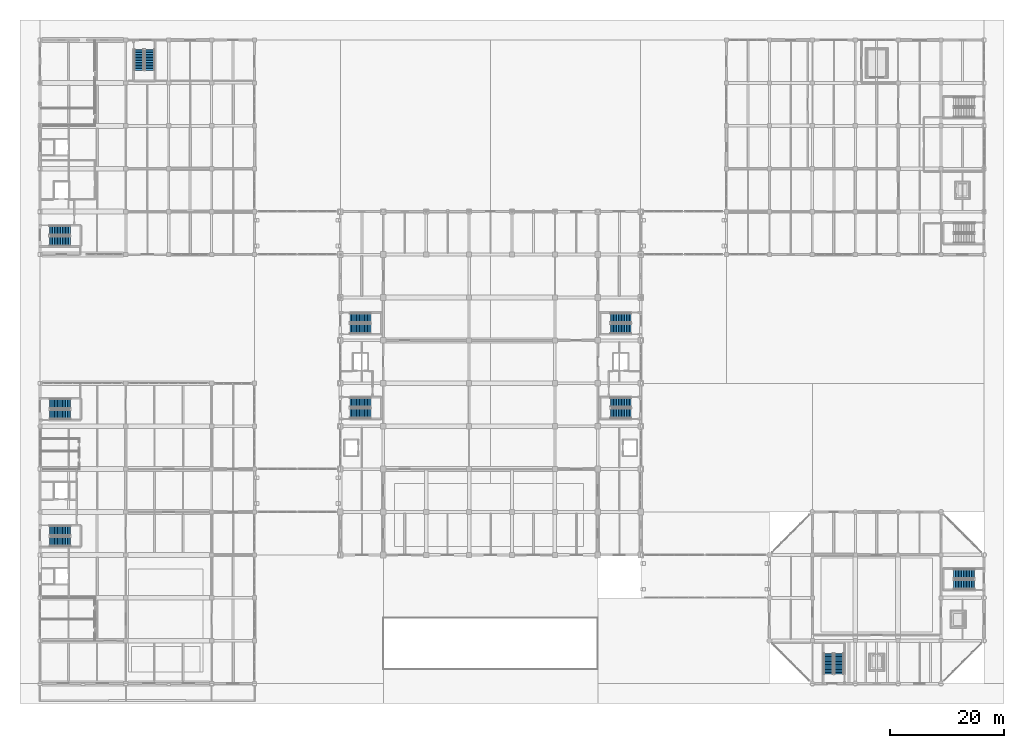
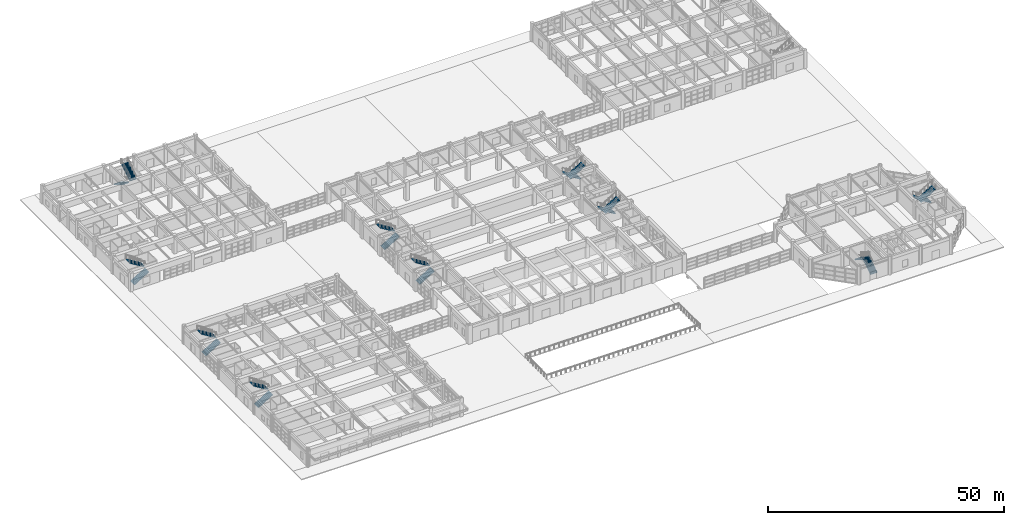
# One storey, part 97 of 122: 20 stair flights, 10 elements without a shape of their own.
"""IFC4 building model written with IfcOpenShell, lengths in metres."""

from ifc_helpers import new_model, si_unit, direction, frame, origin, place, context, subcontext, project, spatial, polyline, outline, extrude, material, type_object, element, aggregate, save


model = new_model("IFC4")

# Units and contexts
model_context = context("Model", 3, precision=1e-05, world=origin(), true_north=direction((0.0, 1.0)))
body_context = subcontext(model_context, "Body", "Model", "MODEL_VIEW")
ifc_project = project(units=[si_unit("LENGTHUNIT", "METRE"), si_unit("AREAUNIT", "SQUARE_METRE"), si_unit("VOLUMEUNIT", "CUBIC_METRE"), si_unit("PLANEANGLEUNIT", "RADIAN"), si_unit("MASSUNIT", "GRAM", prefix="KILO")], contexts=[model_context])

# Site, building, storey
site_placement = place(None, origin())
site = spatial("IfcSite", under=ifc_project, at=site_placement, CompositionType="ELEMENT")
building_placement = place(site_placement, origin())
building = spatial("IfcBuilding", under=site, at=building_placement, Name="Qasida Concert Hall", CompositionType="ELEMENT")
storey_placement = place(building_placement, origin())
storey = spatial("IfcBuildingStorey", under=building, at=storey_placement, Name="L00", CompositionType="ELEMENT", Elevation=0.0)

# Stair, stair flights
ifc_material = material(Name="Concrete C40/50", Category="concrete")
stair_type_1 = type_object("IfcStairType", Name="ST-DL-165", PredefinedType="HALF_TURN_STAIR", material=ifc_material)
stair_1_placement = place(storey_placement, origin())
stair_1 = element("IfcStair", 1, at=stair_1_placement, inside=storey, type_object=stair_type_1, Name="L00 Exit stair ST-05", PredefinedType="HALF_TURN_STAIR")
stair_flight_type_1 = type_object("IfcStairFlightType", Name="SF-DL-165", PredefinedType="STRAIGHT", material=ifc_material)
stair_flight_1_placement = place(storey_placement, frame((1.64990234375, 77.324951171875, 0.0), z_axis=(0.0, 0.0, 1.0), x_axis=(1.0, 0.0, 0.0)))
stair_flight_1 = element("IfcStairFlight", 2, at=stair_flight_1_placement, type_object=stair_flight_type_1, Name="ST-05 flight 1", NumberOfRisers=14, NumberOfTreads=13, PredefinedType="STRAIGHT", RiserHeight=0.171428571, TreadLength=0.28, context=body_context, shape_type="SweptSolid", body=[
    extrude(outline(polyline([(0.0, 0.0), (0.0, 0.17138671875), (0.280029296875, 0.17138671875), (0.280029296875, 0.3427734375), (0.56005859375, 0.3427734375), (0.56005859375, 0.514404296875), (0.840087890625, 0.514404296875), (0.840087890625, 0.685791015625), (1.1201171875, 0.685791015625), (1.1201171875, 0.857177734375), (1.39990234375, 0.857177734375), (1.39990234375, 1.028564453125), (1.679931640625, 1.028564453125), (1.679931640625, 1.199951171875), (1.9599609375, 1.199951171875), (1.9599609375, 1.371337890625), (2.239990234375, 1.371337890625), (2.239990234375, 1.54296875), (2.52001953125, 1.54296875), (2.52001953125, 1.71435546875), (2.800048828125, 1.71435546875), (2.800048828125, 1.8857421875), (3.080078125, 1.8857421875), (3.080078125, 2.05712890625), (3.360107421875, 2.05712890625), (3.360107421875, 2.228515625), (3.639892578125, 2.228515625), (3.639892578125, 2.39990234375), (3.639892578125, 2.041015625), (0.30615234375, 0.0), (0.0, 0.0)])), frame((0.0, 0.824951171875, 0.0), z_axis=(0.0, -1.0, 0.0), x_axis=(1.0, 0.0, 0.0)), (0.0, 0.0, 1.0), 1.64990234375),
])
stair_flight_2_placement = place(storey_placement, frame((5.2900390625, 79.175048828125, 2.39990234375), z_axis=(0.0, 0.0, 1.0), x_axis=(-1.0, 0.0, 0.0)))
stair_flight_2 = element("IfcStairFlight", 3, at=stair_flight_2_placement, type_object=stair_flight_type_1, Name="ST-05 flight 2", NumberOfRisers=14, NumberOfTreads=13, PredefinedType="STRAIGHT", RiserHeight=0.171428571, TreadLength=0.28, context=body_context, shape_type="SweptSolid", body=[
    extrude(outline(polyline([(0.0, 0.0), (0.0, 0.17138671875), (0.280029296875, 0.17138671875), (0.280029296875, 0.3427734375), (0.56005859375, 0.3427734375), (0.56005859375, 0.514404296875), (0.840087890625, 0.514404296875), (0.840087890625, 0.685791015625), (1.1201171875, 0.685791015625), (1.1201171875, 0.857177734375), (1.39990234375, 0.857177734375), (1.39990234375, 1.028564453125), (1.679931640625, 1.028564453125), (1.679931640625, 1.199951171875), (1.9599609375, 1.199951171875), (1.9599609375, 1.371337890625), (2.239990234375, 1.371337890625), (2.239990234375, 1.54296875), (2.52001953125, 1.54296875), (2.52001953125, 1.71435546875), (2.800048828125, 1.71435546875), (2.800048828125, 1.8857421875), (3.080078125, 1.8857421875), (3.080078125, 2.05712890625), (3.360107421875, 2.05712890625), (3.360107421875, 2.228515625), (3.639892578125, 2.228515625), (3.639892578125, 2.39990234375), (3.639892578125, 2.041015625), (0.30615234375, 0.0), (0.0, 0.0)])), frame((0.0, 0.824951171875, 0.0), z_axis=(0.0, -1.0, 0.0), x_axis=(1.0, 0.0, 0.0)), (0.0, 0.0, 1.0), 1.64990234375),
])
aggregate(stair_1, [stair_flight_1, stair_flight_2])

stair_2_placement = place(storey_placement, origin())
stair_2 = element("IfcStair", 4, at=stair_2_placement, inside=storey, type_object=stair_type_1, Name="L00 Exit stair ST-06", PredefinedType="HALF_TURN_STAIR")
stair_flight_3_placement = place(storey_placement, frame((17.324951171875, 110.85009765625, 0.0), z_axis=(0.0, 0.0, 1.0), x_axis=(0.0, -1.0, 0.0)))
stair_flight_3 = element("IfcStairFlight", 5, at=stair_flight_3_placement, type_object=stair_flight_type_1, Name="ST-06 flight 1", NumberOfRisers=14, NumberOfTreads=13, PredefinedType="STRAIGHT", RiserHeight=0.171428571, TreadLength=0.28, context=body_context, shape_type="SweptSolid", body=[
    extrude(outline(polyline([(0.0, 0.0), (0.0, 0.17138671875), (0.280029296875, 0.17138671875), (0.280029296875, 0.3427734375), (0.56005859375, 0.3427734375), (0.56005859375, 0.514404296875), (0.840087890625, 0.514404296875), (0.840087890625, 0.685791015625), (1.1201171875, 0.685791015625), (1.1201171875, 0.857177734375), (1.39990234375, 0.857177734375), (1.39990234375, 1.028564453125), (1.679931640625, 1.028564453125), (1.679931640625, 1.199951171875), (1.9599609375, 1.199951171875), (1.9599609375, 1.371337890625), (2.239990234375, 1.371337890625), (2.239990234375, 1.54296875), (2.52001953125, 1.54296875), (2.52001953125, 1.71435546875), (2.800048828125, 1.71435546875), (2.800048828125, 1.8857421875), (3.080078125, 1.8857421875), (3.080078125, 2.05712890625), (3.360107421875, 2.05712890625), (3.360107421875, 2.228515625), (3.639892578125, 2.228515625), (3.639892578125, 2.39990234375), (3.639892578125, 2.041015625), (0.30615234375, 0.0), (0.0, 0.0)])), frame((0.0, 0.824951171875, 0.0), z_axis=(0.0, -1.0, 0.0), x_axis=(1.0, 0.0, 0.0)), (0.0, 0.0, 1.0), 1.64990234375),
])
stair_flight_4_placement = place(storey_placement, frame((19.175048828125, 107.2099609375, 2.39990234375), z_axis=(0.0, 0.0, 1.0), x_axis=(0.0, 1.0, 0.0)))
stair_flight_4 = element("IfcStairFlight", 6, at=stair_flight_4_placement, type_object=stair_flight_type_1, Name="ST-06 flight 2", NumberOfRisers=14, NumberOfTreads=13, PredefinedType="STRAIGHT", RiserHeight=0.171428571, TreadLength=0.28, context=body_context, shape_type="SweptSolid", body=[
    extrude(outline(polyline([(0.0, 0.0), (0.0, 0.17138671875), (0.280029296875, 0.17138671875), (0.280029296875, 0.3427734375), (0.56005859375, 0.3427734375), (0.56005859375, 0.514404296875), (0.840087890625, 0.514404296875), (0.840087890625, 0.685791015625), (1.1201171875, 0.685791015625), (1.1201171875, 0.857177734375), (1.39990234375, 0.857177734375), (1.39990234375, 1.028564453125), (1.679931640625, 1.028564453125), (1.679931640625, 1.199951171875), (1.9599609375, 1.199951171875), (1.9599609375, 1.371337890625), (2.239990234375, 1.371337890625), (2.239990234375, 1.54296875), (2.52001953125, 1.54296875), (2.52001953125, 1.71435546875), (2.800048828125, 1.71435546875), (2.800048828125, 1.8857421875), (3.080078125, 1.8857421875), (3.080078125, 2.05712890625), (3.360107421875, 2.05712890625), (3.360107421875, 2.228515625), (3.639892578125, 2.228515625), (3.639892578125, 2.39990234375), (3.639892578125, 2.041015625), (0.30615234375, 0.0), (0.0, 0.0)])), frame((0.0, 0.824951171875, 0.0), z_axis=(0.0, -1.0, 0.0), x_axis=(1.0, 0.0, 0.0)), (0.0, 0.0, 1.0), 1.64990234375),
])
aggregate(stair_2, [stair_flight_3, stair_flight_4])

stair_3_placement = place(storey_placement, origin())
stair_3 = element("IfcStair", 7, at=stair_3_placement, inside=storey, type_object=stair_type_1, Name="L00 Exit stair ST-09", PredefinedType="HALF_TURN_STAIR")
stair_flight_5_placement = place(storey_placement, frame((139.675048828125, 1.64990234375, 0.0), z_axis=(0.0, 0.0, 1.0), x_axis=(0.0, 1.0, 0.0)))
stair_flight_5 = element("IfcStairFlight", 8, at=stair_flight_5_placement, type_object=stair_flight_type_1, Name="ST-09 flight 1", NumberOfRisers=14, NumberOfTreads=13, PredefinedType="STRAIGHT", RiserHeight=0.171428571, TreadLength=0.28, context=body_context, shape_type="SweptSolid", body=[
    extrude(outline(polyline([(0.0, 0.0), (0.0, 0.17138671875), (0.280029296875, 0.17138671875), (0.280029296875, 0.3427734375), (0.56005859375, 0.3427734375), (0.56005859375, 0.514404296875), (0.840087890625, 0.514404296875), (0.840087890625, 0.685791015625), (1.1201171875, 0.685791015625), (1.1201171875, 0.857177734375), (1.39990234375, 0.857177734375), (1.39990234375, 1.028564453125), (1.679931640625, 1.028564453125), (1.679931640625, 1.199951171875), (1.9599609375, 1.199951171875), (1.9599609375, 1.371337890625), (2.239990234375, 1.371337890625), (2.239990234375, 1.54296875), (2.52001953125, 1.54296875), (2.52001953125, 1.71435546875), (2.800048828125, 1.71435546875), (2.800048828125, 1.8857421875), (3.080078125, 1.8857421875), (3.080078125, 2.05712890625), (3.360107421875, 2.05712890625), (3.360107421875, 2.228515625), (3.639892578125, 2.228515625), (3.639892578125, 2.39990234375), (3.639892578125, 2.041015625), (0.30615234375, 0.0), (0.0, 0.0)])), frame((0.0, 0.824951171875, 0.0), z_axis=(0.0, -1.0, 0.0), x_axis=(1.0, 0.0, 0.0)), (0.0, 0.0, 1.0), 1.64990234375),
])
stair_flight_6_placement = place(storey_placement, frame((137.824951171875, 5.2900390625, 2.39990234375), z_axis=(0.0, 0.0, 1.0), x_axis=(0.0, -1.0, 0.0)))
stair_flight_6 = element("IfcStairFlight", 9, at=stair_flight_6_placement, type_object=stair_flight_type_1, Name="ST-09 flight 2", NumberOfRisers=14, NumberOfTreads=13, PredefinedType="STRAIGHT", RiserHeight=0.171428571, TreadLength=0.28, context=body_context, shape_type="SweptSolid", body=[
    extrude(outline(polyline([(0.0, 0.0), (0.0, 0.17138671875), (0.280029296875, 0.17138671875), (0.280029296875, 0.3427734375), (0.56005859375, 0.3427734375), (0.56005859375, 0.514404296875), (0.840087890625, 0.514404296875), (0.840087890625, 0.685791015625), (1.1201171875, 0.685791015625), (1.1201171875, 0.857177734375), (1.39990234375, 0.857177734375), (1.39990234375, 1.028564453125), (1.679931640625, 1.028564453125), (1.679931640625, 1.199951171875), (1.9599609375, 1.199951171875), (1.9599609375, 1.371337890625), (2.239990234375, 1.371337890625), (2.239990234375, 1.54296875), (2.52001953125, 1.54296875), (2.52001953125, 1.71435546875), (2.800048828125, 1.71435546875), (2.800048828125, 1.8857421875), (3.080078125, 1.8857421875), (3.080078125, 2.05712890625), (3.360107421875, 2.05712890625), (3.360107421875, 2.228515625), (3.639892578125, 2.228515625), (3.639892578125, 2.39990234375), (3.639892578125, 2.041015625), (0.30615234375, 0.0), (0.0, 0.0)])), frame((0.0, 0.824951171875, 0.0), z_axis=(0.0, -1.0, 0.0), x_axis=(1.0, 0.0, 0.0)), (0.0, 0.0, 1.0), 1.64990234375),
])
aggregate(stair_3, [stair_flight_5, stair_flight_6])

stair_4_placement = place(storey_placement, origin())
stair_4 = element("IfcStair", 10, at=stair_4_placement, inside=storey, type_object=stair_type_1, Name="L00 Exit stair ST-10", PredefinedType="HALF_TURN_STAIR")
stair_flight_7_placement = place(storey_placement, frame((163.35009765625, 19.175048828125, 0.0), z_axis=(0.0, 0.0, 1.0), x_axis=(-1.0, 0.0, 0.0)))
stair_flight_7 = element("IfcStairFlight", 11, at=stair_flight_7_placement, type_object=stair_flight_type_1, Name="ST-10 flight 1", NumberOfRisers=14, NumberOfTreads=13, PredefinedType="STRAIGHT", RiserHeight=0.171428571, TreadLength=0.28, context=body_context, shape_type="SweptSolid", body=[
    extrude(outline(polyline([(0.0, 0.0), (0.0, 0.17138671875), (0.280029296875, 0.17138671875), (0.280029296875, 0.3427734375), (0.56005859375, 0.3427734375), (0.56005859375, 0.514404296875), (0.840087890625, 0.514404296875), (0.840087890625, 0.685791015625), (1.1201171875, 0.685791015625), (1.1201171875, 0.857177734375), (1.39990234375, 0.857177734375), (1.39990234375, 1.028564453125), (1.679931640625, 1.028564453125), (1.679931640625, 1.199951171875), (1.9599609375, 1.199951171875), (1.9599609375, 1.371337890625), (2.239990234375, 1.371337890625), (2.239990234375, 1.54296875), (2.52001953125, 1.54296875), (2.52001953125, 1.71435546875), (2.800048828125, 1.71435546875), (2.800048828125, 1.8857421875), (3.080078125, 1.8857421875), (3.080078125, 2.05712890625), (3.360107421875, 2.05712890625), (3.360107421875, 2.228515625), (3.639892578125, 2.228515625), (3.639892578125, 2.39990234375), (3.639892578125, 2.041015625), (0.30615234375, 0.0), (0.0, 0.0)])), frame((0.0, 0.824951171875, 0.0), z_axis=(0.0, -1.0, 0.0), x_axis=(1.0, 0.0, 0.0)), (0.0, 0.0, 1.0), 1.64990234375),
])
stair_flight_8_placement = place(storey_placement, frame((159.7099609375, 17.324951171875, 2.39990234375), z_axis=(0.0, 0.0, 1.0), x_axis=(1.0, 0.0, 0.0)))
stair_flight_8 = element("IfcStairFlight", 12, at=stair_flight_8_placement, type_object=stair_flight_type_1, Name="ST-10 flight 2", NumberOfRisers=14, NumberOfTreads=13, PredefinedType="STRAIGHT", RiserHeight=0.171428571, TreadLength=0.28, context=body_context, shape_type="SweptSolid", body=[
    extrude(outline(polyline([(0.0, 0.0), (0.0, 0.17138671875), (0.280029296875, 0.17138671875), (0.280029296875, 0.3427734375), (0.56005859375, 0.3427734375), (0.56005859375, 0.514404296875), (0.840087890625, 0.514404296875), (0.840087890625, 0.685791015625), (1.1201171875, 0.685791015625), (1.1201171875, 0.857177734375), (1.39990234375, 0.857177734375), (1.39990234375, 1.028564453125), (1.679931640625, 1.028564453125), (1.679931640625, 1.199951171875), (1.9599609375, 1.199951171875), (1.9599609375, 1.371337890625), (2.239990234375, 1.371337890625), (2.239990234375, 1.54296875), (2.52001953125, 1.54296875), (2.52001953125, 1.71435546875), (2.800048828125, 1.71435546875), (2.800048828125, 1.8857421875), (3.080078125, 1.8857421875), (3.080078125, 2.05712890625), (3.360107421875, 2.05712890625), (3.360107421875, 2.228515625), (3.639892578125, 2.228515625), (3.639892578125, 2.39990234375), (3.639892578125, 2.041015625), (0.30615234375, 0.0), (0.0, 0.0)])), frame((0.0, 0.824951171875, 0.0), z_axis=(0.0, -1.0, 0.0), x_axis=(1.0, 0.0, 0.0)), (0.0, 0.0, 1.0), 1.64990234375),
])
aggregate(stair_4, [stair_flight_7, stair_flight_8])

stair_type_2 = type_object("IfcStairType", Name="ST-DL-168", PredefinedType="HALF_TURN_STAIR", material=ifc_material)
stair_5_placement = place(storey_placement, origin())
stair_5 = element("IfcStair", 13, at=stair_5_placement, inside=storey, type_object=stair_type_2, Name="L00 Exit stair ST-01", PredefinedType="HALF_TURN_STAIR")
stair_flight_type_2 = type_object("IfcStairFlightType", Name="SF-DL-168", PredefinedType="STRAIGHT", material=ifc_material)
stair_flight_9_placement = place(storey_placement, frame((54.179931640625, 47.239990234375, 0.0), z_axis=(0.0, 0.0, 1.0), x_axis=(1.0, 0.0, 0.0)))
stair_flight_9 = element("IfcStairFlight", 14, at=stair_flight_9_placement, type_object=stair_flight_type_2, Name="ST-01 flight 1", NumberOfRisers=14, NumberOfTreads=13, PredefinedType="STRAIGHT", RiserHeight=0.171428571, TreadLength=0.28, context=body_context, shape_type="SweptSolid", body=[
    extrude(outline(polyline([(0.0, 0.0), (0.0, 0.17138671875), (0.280029296875, 0.17138671875), (0.280029296875, 0.3427734375), (0.56005859375, 0.3427734375), (0.56005859375, 0.514404296875), (0.840087890625, 0.514404296875), (0.840087890625, 0.685791015625), (1.1201171875, 0.685791015625), (1.1201171875, 0.857177734375), (1.39990234375, 0.857177734375), (1.39990234375, 1.028564453125), (1.679931640625, 1.028564453125), (1.679931640625, 1.199951171875), (1.9599609375, 1.199951171875), (1.9599609375, 1.371337890625), (2.239990234375, 1.371337890625), (2.239990234375, 1.54296875), (2.52001953125, 1.54296875), (2.52001953125, 1.71435546875), (2.800048828125, 1.71435546875), (2.800048828125, 1.8857421875), (3.080078125, 1.8857421875), (3.080078125, 2.05712890625), (3.360107421875, 2.05712890625), (3.360107421875, 2.228515625), (3.639892578125, 2.228515625), (3.639892578125, 2.39990234375), (3.639892578125, 2.041015625), (0.30615234375, 0.0), (0.0, 0.0)])), frame((0.0, 0.83984375, 0.0), z_axis=(0.0, -1.0, 0.0), x_axis=(1.0, 0.0, 0.0)), (0.0, 0.0, 1.0), 1.679931640625),
])
stair_flight_10_placement = place(storey_placement, frame((57.820068359375, 49.1201171875, 2.39990234375), z_axis=(0.0, 0.0, 1.0), x_axis=(-1.0, 0.0, 0.0)))
stair_flight_10 = element("IfcStairFlight", 15, at=stair_flight_10_placement, type_object=stair_flight_type_2, Name="ST-01 flight 2", NumberOfRisers=14, NumberOfTreads=13, PredefinedType="STRAIGHT", RiserHeight=0.171428571, TreadLength=0.28, context=body_context, shape_type="SweptSolid", body=[
    extrude(outline(polyline([(0.0, 0.0), (0.0, 0.17138671875), (0.280029296875, 0.17138671875), (0.280029296875, 0.3427734375), (0.56005859375, 0.3427734375), (0.56005859375, 0.514404296875), (0.840087890625, 0.514404296875), (0.840087890625, 0.685791015625), (1.1201171875, 0.685791015625), (1.1201171875, 0.857177734375), (1.39990234375, 0.857177734375), (1.39990234375, 1.028564453125), (1.679931640625, 1.028564453125), (1.679931640625, 1.199951171875), (1.9599609375, 1.199951171875), (1.9599609375, 1.371337890625), (2.239990234375, 1.371337890625), (2.239990234375, 1.54296875), (2.52001953125, 1.54296875), (2.52001953125, 1.71435546875), (2.800048828125, 1.71435546875), (2.800048828125, 1.8857421875), (3.080078125, 1.8857421875), (3.080078125, 2.05712890625), (3.360107421875, 2.05712890625), (3.360107421875, 2.228515625), (3.639892578125, 2.228515625), (3.639892578125, 2.39990234375), (3.639892578125, 2.041015625), (0.30615234375, 0.0), (0.0, 0.0)])), frame((0.0, 0.83984375, 0.0), z_axis=(0.0, -1.0, 0.0), x_axis=(1.0, 0.0, 0.0)), (0.0, 0.0, 1.0), 1.679931640625),
])
aggregate(stair_5, [stair_flight_9, stair_flight_10])

stair_6_placement = place(storey_placement, origin())
stair_6 = element("IfcStair", 16, at=stair_6_placement, inside=storey, type_object=stair_type_2, Name="L00 Exit stair ST-02", PredefinedType="HALF_TURN_STAIR")
stair_flight_11_placement = place(storey_placement, frame((103.320068359375, 49.1201171875, 0.0), z_axis=(0.0, 0.0, 1.0), x_axis=(-1.0, 0.0, 0.0)))
stair_flight_11 = element("IfcStairFlight", 17, at=stair_flight_11_placement, type_object=stair_flight_type_2, Name="ST-02 flight 1", NumberOfRisers=14, NumberOfTreads=13, PredefinedType="STRAIGHT", RiserHeight=0.171428571, TreadLength=0.28, context=body_context, shape_type="SweptSolid", body=[
    extrude(outline(polyline([(0.0, 0.0), (0.0, 0.17138671875), (0.280029296875, 0.17138671875), (0.280029296875, 0.3427734375), (0.56005859375, 0.3427734375), (0.56005859375, 0.514404296875), (0.840087890625, 0.514404296875), (0.840087890625, 0.685791015625), (1.1201171875, 0.685791015625), (1.1201171875, 0.857177734375), (1.39990234375, 0.857177734375), (1.39990234375, 1.028564453125), (1.679931640625, 1.028564453125), (1.679931640625, 1.199951171875), (1.9599609375, 1.199951171875), (1.9599609375, 1.371337890625), (2.239990234375, 1.371337890625), (2.239990234375, 1.54296875), (2.52001953125, 1.54296875), (2.52001953125, 1.71435546875), (2.800048828125, 1.71435546875), (2.800048828125, 1.8857421875), (3.080078125, 1.8857421875), (3.080078125, 2.05712890625), (3.360107421875, 2.05712890625), (3.360107421875, 2.228515625), (3.639892578125, 2.228515625), (3.639892578125, 2.39990234375), (3.639892578125, 2.041015625), (0.30615234375, 0.0), (0.0, 0.0)])), frame((0.0, 0.83984375, 0.0), z_axis=(0.0, -1.0, 0.0), x_axis=(1.0, 0.0, 0.0)), (0.0, 0.0, 1.0), 1.679931640625),
])
stair_flight_12_placement = place(storey_placement, frame((99.679931640625, 47.239990234375, 2.39990234375), z_axis=(0.0, 0.0, 1.0), x_axis=(1.0, 0.0, 0.0)))
stair_flight_12 = element("IfcStairFlight", 18, at=stair_flight_12_placement, type_object=stair_flight_type_2, Name="ST-02 flight 2", NumberOfRisers=14, NumberOfTreads=13, PredefinedType="STRAIGHT", RiserHeight=0.171428571, TreadLength=0.28, context=body_context, shape_type="SweptSolid", body=[
    extrude(outline(polyline([(0.0, 0.0), (0.0, 0.17138671875), (0.280029296875, 0.17138671875), (0.280029296875, 0.3427734375), (0.56005859375, 0.3427734375), (0.56005859375, 0.514404296875), (0.840087890625, 0.514404296875), (0.840087890625, 0.685791015625), (1.1201171875, 0.685791015625), (1.1201171875, 0.857177734375), (1.39990234375, 0.857177734375), (1.39990234375, 1.028564453125), (1.679931640625, 1.028564453125), (1.679931640625, 1.199951171875), (1.9599609375, 1.199951171875), (1.9599609375, 1.371337890625), (2.239990234375, 1.371337890625), (2.239990234375, 1.54296875), (2.52001953125, 1.54296875), (2.52001953125, 1.71435546875), (2.800048828125, 1.71435546875), (2.800048828125, 1.8857421875), (3.080078125, 1.8857421875), (3.080078125, 2.05712890625), (3.360107421875, 2.05712890625), (3.360107421875, 2.228515625), (3.639892578125, 2.228515625), (3.639892578125, 2.39990234375), (3.639892578125, 2.041015625), (0.30615234375, 0.0), (0.0, 0.0)])), frame((0.0, 0.83984375, 0.0), z_axis=(0.0, -1.0, 0.0), x_axis=(1.0, 0.0, 0.0)), (0.0, 0.0, 1.0), 1.679931640625),
])
aggregate(stair_6, [stair_flight_11, stair_flight_12])

stair_7_placement = place(storey_placement, origin())
stair_7 = element("IfcStair", 19, at=stair_7_placement, inside=storey, type_object=stair_type_2, Name="L00 Exit stair ST-03", PredefinedType="HALF_TURN_STAIR")
stair_flight_13_placement = place(storey_placement, frame((1.679931640625, 24.840087890625, 0.0), z_axis=(0.0, 0.0, 1.0), x_axis=(1.0, 0.0, 0.0)))
stair_flight_13 = element("IfcStairFlight", 20, at=stair_flight_13_placement, type_object=stair_flight_type_2, Name="ST-03 flight 1", NumberOfRisers=14, NumberOfTreads=13, PredefinedType="STRAIGHT", RiserHeight=0.171428571, TreadLength=0.28, context=body_context, shape_type="SweptSolid", body=[
    extrude(outline(polyline([(0.0, 0.0), (0.0, 0.17138671875), (0.280029296875, 0.17138671875), (0.280029296875, 0.3427734375), (0.56005859375, 0.3427734375), (0.56005859375, 0.514404296875), (0.840087890625, 0.514404296875), (0.840087890625, 0.685791015625), (1.1201171875, 0.685791015625), (1.1201171875, 0.857177734375), (1.39990234375, 0.857177734375), (1.39990234375, 1.028564453125), (1.679931640625, 1.028564453125), (1.679931640625, 1.199951171875), (1.9599609375, 1.199951171875), (1.9599609375, 1.371337890625), (2.239990234375, 1.371337890625), (2.239990234375, 1.54296875), (2.52001953125, 1.54296875), (2.52001953125, 1.71435546875), (2.800048828125, 1.71435546875), (2.800048828125, 1.8857421875), (3.080078125, 1.8857421875), (3.080078125, 2.05712890625), (3.360107421875, 2.05712890625), (3.360107421875, 2.228515625), (3.639892578125, 2.228515625), (3.639892578125, 2.39990234375), (3.639892578125, 2.041015625), (0.30615234375, 0.0), (0.0, 0.0)])), frame((0.0, 0.83984375, 0.0), z_axis=(0.0, -1.0, 0.0), x_axis=(1.0, 0.0, 0.0)), (0.0, 0.0, 1.0), 1.679931640625),
])
stair_flight_14_placement = place(storey_placement, frame((5.320068359375, 26.719970703125, 2.39990234375), z_axis=(0.0, 0.0, 1.0), x_axis=(-1.0, 0.0, 0.0)))
stair_flight_14 = element("IfcStairFlight", 21, at=stair_flight_14_placement, type_object=stair_flight_type_2, Name="ST-03 flight 2", NumberOfRisers=14, NumberOfTreads=13, PredefinedType="STRAIGHT", RiserHeight=0.171428571, TreadLength=0.28, context=body_context, shape_type="SweptSolid", body=[
    extrude(outline(polyline([(0.0, 0.0), (0.0, 0.17138671875), (0.280029296875, 0.17138671875), (0.280029296875, 0.3427734375), (0.56005859375, 0.3427734375), (0.56005859375, 0.514404296875), (0.840087890625, 0.514404296875), (0.840087890625, 0.685791015625), (1.1201171875, 0.685791015625), (1.1201171875, 0.857177734375), (1.39990234375, 0.857177734375), (1.39990234375, 1.028564453125), (1.679931640625, 1.028564453125), (1.679931640625, 1.199951171875), (1.9599609375, 1.199951171875), (1.9599609375, 1.371337890625), (2.239990234375, 1.371337890625), (2.239990234375, 1.54296875), (2.52001953125, 1.54296875), (2.52001953125, 1.71435546875), (2.800048828125, 1.71435546875), (2.800048828125, 1.8857421875), (3.080078125, 1.8857421875), (3.080078125, 2.05712890625), (3.360107421875, 2.05712890625), (3.360107421875, 2.228515625), (3.639892578125, 2.228515625), (3.639892578125, 2.39990234375), (3.639892578125, 2.041015625), (0.30615234375, 0.0), (0.0, 0.0)])), frame((0.0, 0.83984375, 0.0), z_axis=(0.0, -1.0, 0.0), x_axis=(1.0, 0.0, 0.0)), (0.0, 0.0, 1.0), 1.679931640625),
])
aggregate(stair_7, [stair_flight_13, stair_flight_14])

stair_8_placement = place(storey_placement, origin())
stair_8 = element("IfcStair", 22, at=stair_8_placement, inside=storey, type_object=stair_type_2, Name="L00 Exit stair ST-04", PredefinedType="HALF_TURN_STAIR")
stair_flight_15_placement = place(storey_placement, frame((1.679931640625, 47.0400390625, 0.0), z_axis=(0.0, 0.0, 1.0), x_axis=(1.0, 0.0, 0.0)))
stair_flight_15 = element("IfcStairFlight", 23, at=stair_flight_15_placement, type_object=stair_flight_type_2, Name="ST-04 flight 1", NumberOfRisers=14, NumberOfTreads=13, PredefinedType="STRAIGHT", RiserHeight=0.171428571, TreadLength=0.28, context=body_context, shape_type="SweptSolid", body=[
    extrude(outline(polyline([(0.0, 0.0), (0.0, 0.17138671875), (0.280029296875, 0.17138671875), (0.280029296875, 0.3427734375), (0.56005859375, 0.3427734375), (0.56005859375, 0.514404296875), (0.840087890625, 0.514404296875), (0.840087890625, 0.685791015625), (1.1201171875, 0.685791015625), (1.1201171875, 0.857177734375), (1.39990234375, 0.857177734375), (1.39990234375, 1.028564453125), (1.679931640625, 1.028564453125), (1.679931640625, 1.199951171875), (1.9599609375, 1.199951171875), (1.9599609375, 1.371337890625), (2.239990234375, 1.371337890625), (2.239990234375, 1.54296875), (2.52001953125, 1.54296875), (2.52001953125, 1.71435546875), (2.800048828125, 1.71435546875), (2.800048828125, 1.8857421875), (3.080078125, 1.8857421875), (3.080078125, 2.05712890625), (3.360107421875, 2.05712890625), (3.360107421875, 2.228515625), (3.639892578125, 2.228515625), (3.639892578125, 2.39990234375), (3.639892578125, 2.041015625), (0.30615234375, 0.0), (0.0, 0.0)])), frame((0.0, 0.83984375, 0.0), z_axis=(0.0, -1.0, 0.0), x_axis=(1.0, 0.0, 0.0)), (0.0, 0.0, 1.0), 1.679931640625),
])
stair_flight_16_placement = place(storey_placement, frame((5.320068359375, 48.919921875, 2.39990234375), z_axis=(0.0, 0.0, 1.0), x_axis=(-1.0, 0.0, 0.0)))
stair_flight_16 = element("IfcStairFlight", 24, at=stair_flight_16_placement, type_object=stair_flight_type_2, Name="ST-04 flight 2", NumberOfRisers=14, NumberOfTreads=13, PredefinedType="STRAIGHT", RiserHeight=0.171428571, TreadLength=0.28, context=body_context, shape_type="SweptSolid", body=[
    extrude(outline(polyline([(0.0, 0.0), (0.0, 0.17138671875), (0.280029296875, 0.17138671875), (0.280029296875, 0.3427734375), (0.56005859375, 0.3427734375), (0.56005859375, 0.514404296875), (0.840087890625, 0.514404296875), (0.840087890625, 0.685791015625), (1.1201171875, 0.685791015625), (1.1201171875, 0.857177734375), (1.39990234375, 0.857177734375), (1.39990234375, 1.028564453125), (1.679931640625, 1.028564453125), (1.679931640625, 1.199951171875), (1.9599609375, 1.199951171875), (1.9599609375, 1.371337890625), (2.239990234375, 1.371337890625), (2.239990234375, 1.54296875), (2.52001953125, 1.54296875), (2.52001953125, 1.71435546875), (2.800048828125, 1.71435546875), (2.800048828125, 1.8857421875), (3.080078125, 1.8857421875), (3.080078125, 2.05712890625), (3.360107421875, 2.05712890625), (3.360107421875, 2.228515625), (3.639892578125, 2.228515625), (3.639892578125, 2.39990234375), (3.639892578125, 2.041015625), (0.30615234375, 0.0), (0.0, 0.0)])), frame((0.0, 0.83984375, 0.0), z_axis=(0.0, -1.0, 0.0), x_axis=(1.0, 0.0, 0.0)), (0.0, 0.0, 1.0), 1.679931640625),
])
aggregate(stair_8, [stair_flight_15, stair_flight_16])

stair_9_placement = place(storey_placement, origin())
stair_9 = element("IfcStair", 25, at=stair_9_placement, inside=storey, type_object=stair_type_2, Name="L00 Exit stair ST-11", PredefinedType="HALF_TURN_STAIR")
stair_flight_17_placement = place(storey_placement, frame((54.179931640625, 62.0400390625, 0.0), z_axis=(0.0, 0.0, 1.0), x_axis=(1.0, 0.0, 0.0)))
stair_flight_17 = element("IfcStairFlight", 26, at=stair_flight_17_placement, type_object=stair_flight_type_2, Name="ST-11 flight 1", NumberOfRisers=14, NumberOfTreads=13, PredefinedType="STRAIGHT", RiserHeight=0.171428571, TreadLength=0.28, context=body_context, shape_type="SweptSolid", body=[
    extrude(outline(polyline([(0.0, 0.0), (0.0, 0.17138671875), (0.280029296875, 0.17138671875), (0.280029296875, 0.3427734375), (0.56005859375, 0.3427734375), (0.56005859375, 0.514404296875), (0.840087890625, 0.514404296875), (0.840087890625, 0.685791015625), (1.1201171875, 0.685791015625), (1.1201171875, 0.857177734375), (1.39990234375, 0.857177734375), (1.39990234375, 1.028564453125), (1.679931640625, 1.028564453125), (1.679931640625, 1.199951171875), (1.9599609375, 1.199951171875), (1.9599609375, 1.371337890625), (2.239990234375, 1.371337890625), (2.239990234375, 1.54296875), (2.52001953125, 1.54296875), (2.52001953125, 1.71435546875), (2.800048828125, 1.71435546875), (2.800048828125, 1.8857421875), (3.080078125, 1.8857421875), (3.080078125, 2.05712890625), (3.360107421875, 2.05712890625), (3.360107421875, 2.228515625), (3.639892578125, 2.228515625), (3.639892578125, 2.39990234375), (3.639892578125, 2.041015625), (0.30615234375, 0.0), (0.0, 0.0)])), frame((0.0, 0.83984375, 0.0), z_axis=(0.0, -1.0, 0.0), x_axis=(1.0, 0.0, 0.0)), (0.0, 0.0, 1.0), 1.679931640625),
])
stair_flight_18_placement = place(storey_placement, frame((57.820068359375, 63.919921875, 2.39990234375), z_axis=(0.0, 0.0, 1.0), x_axis=(-1.0, 0.0, 0.0)))
stair_flight_18 = element("IfcStairFlight", 27, at=stair_flight_18_placement, type_object=stair_flight_type_2, Name="ST-11 flight 2", NumberOfRisers=14, NumberOfTreads=13, PredefinedType="STRAIGHT", RiserHeight=0.171428571, TreadLength=0.28, context=body_context, shape_type="SweptSolid", body=[
    extrude(outline(polyline([(0.0, 0.0), (0.0, 0.17138671875), (0.280029296875, 0.17138671875), (0.280029296875, 0.3427734375), (0.56005859375, 0.3427734375), (0.56005859375, 0.514404296875), (0.840087890625, 0.514404296875), (0.840087890625, 0.685791015625), (1.1201171875, 0.685791015625), (1.1201171875, 0.857177734375), (1.39990234375, 0.857177734375), (1.39990234375, 1.028564453125), (1.679931640625, 1.028564453125), (1.679931640625, 1.199951171875), (1.9599609375, 1.199951171875), (1.9599609375, 1.371337890625), (2.239990234375, 1.371337890625), (2.239990234375, 1.54296875), (2.52001953125, 1.54296875), (2.52001953125, 1.71435546875), (2.800048828125, 1.71435546875), (2.800048828125, 1.8857421875), (3.080078125, 1.8857421875), (3.080078125, 2.05712890625), (3.360107421875, 2.05712890625), (3.360107421875, 2.228515625), (3.639892578125, 2.228515625), (3.639892578125, 2.39990234375), (3.639892578125, 2.041015625), (0.30615234375, 0.0), (0.0, 0.0)])), frame((0.0, 0.83984375, 0.0), z_axis=(0.0, -1.0, 0.0), x_axis=(1.0, 0.0, 0.0)), (0.0, 0.0, 1.0), 1.679931640625),
])
aggregate(stair_9, [stair_flight_17, stair_flight_18])

stair_10_placement = place(storey_placement, origin())
stair_10 = element("IfcStair", 28, at=stair_10_placement, inside=storey, type_object=stair_type_2, Name="L00 Exit stair ST-12", PredefinedType="HALF_TURN_STAIR")
stair_flight_19_placement = place(storey_placement, frame((103.320068359375, 63.919921875, 0.0), z_axis=(0.0, 0.0, 1.0), x_axis=(-1.0, 0.0, 0.0)))
stair_flight_19 = element("IfcStairFlight", 29, at=stair_flight_19_placement, type_object=stair_flight_type_2, Name="ST-12 flight 1", NumberOfRisers=14, NumberOfTreads=13, PredefinedType="STRAIGHT", RiserHeight=0.171428571, TreadLength=0.28, context=body_context, shape_type="SweptSolid", body=[
    extrude(outline(polyline([(0.0, 0.0), (0.0, 0.17138671875), (0.280029296875, 0.17138671875), (0.280029296875, 0.3427734375), (0.56005859375, 0.3427734375), (0.56005859375, 0.514404296875), (0.840087890625, 0.514404296875), (0.840087890625, 0.685791015625), (1.1201171875, 0.685791015625), (1.1201171875, 0.857177734375), (1.39990234375, 0.857177734375), (1.39990234375, 1.028564453125), (1.679931640625, 1.028564453125), (1.679931640625, 1.199951171875), (1.9599609375, 1.199951171875), (1.9599609375, 1.371337890625), (2.239990234375, 1.371337890625), (2.239990234375, 1.54296875), (2.52001953125, 1.54296875), (2.52001953125, 1.71435546875), (2.800048828125, 1.71435546875), (2.800048828125, 1.8857421875), (3.080078125, 1.8857421875), (3.080078125, 2.05712890625), (3.360107421875, 2.05712890625), (3.360107421875, 2.228515625), (3.639892578125, 2.228515625), (3.639892578125, 2.39990234375), (3.639892578125, 2.041015625), (0.30615234375, 0.0), (0.0, 0.0)])), frame((0.0, 0.83984375, 0.0), z_axis=(0.0, -1.0, 0.0), x_axis=(1.0, 0.0, 0.0)), (0.0, 0.0, 1.0), 1.679931640625),
])
stair_flight_20_placement = place(storey_placement, frame((99.679931640625, 62.0400390625, 2.39990234375), z_axis=(0.0, 0.0, 1.0), x_axis=(1.0, 0.0, 0.0)))
stair_flight_20 = element("IfcStairFlight", 30, at=stair_flight_20_placement, type_object=stair_flight_type_2, Name="ST-12 flight 2", NumberOfRisers=14, NumberOfTreads=13, PredefinedType="STRAIGHT", RiserHeight=0.171428571, TreadLength=0.28, context=body_context, shape_type="SweptSolid", body=[
    extrude(outline(polyline([(0.0, 0.0), (0.0, 0.17138671875), (0.280029296875, 0.17138671875), (0.280029296875, 0.3427734375), (0.56005859375, 0.3427734375), (0.56005859375, 0.514404296875), (0.840087890625, 0.514404296875), (0.840087890625, 0.685791015625), (1.1201171875, 0.685791015625), (1.1201171875, 0.857177734375), (1.39990234375, 0.857177734375), (1.39990234375, 1.028564453125), (1.679931640625, 1.028564453125), (1.679931640625, 1.199951171875), (1.9599609375, 1.199951171875), (1.9599609375, 1.371337890625), (2.239990234375, 1.371337890625), (2.239990234375, 1.54296875), (2.52001953125, 1.54296875), (2.52001953125, 1.71435546875), (2.800048828125, 1.71435546875), (2.800048828125, 1.8857421875), (3.080078125, 1.8857421875), (3.080078125, 2.05712890625), (3.360107421875, 2.05712890625), (3.360107421875, 2.228515625), (3.639892578125, 2.228515625), (3.639892578125, 2.39990234375), (3.639892578125, 2.041015625), (0.30615234375, 0.0), (0.0, 0.0)])), frame((0.0, 0.83984375, 0.0), z_axis=(0.0, -1.0, 0.0), x_axis=(1.0, 0.0, 0.0)), (0.0, 0.0, 1.0), 1.679931640625),
])
aggregate(stair_10, [stair_flight_19, stair_flight_20])

save(model, "model.ifc")
